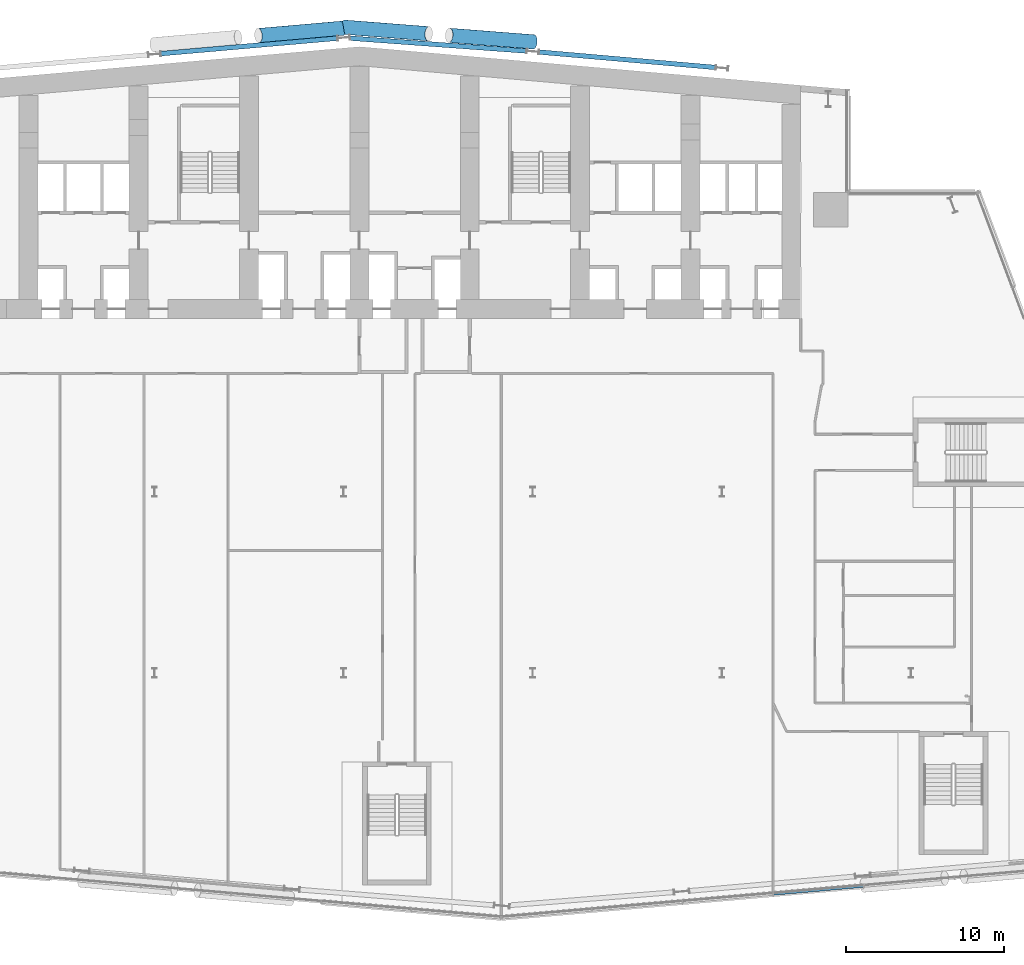
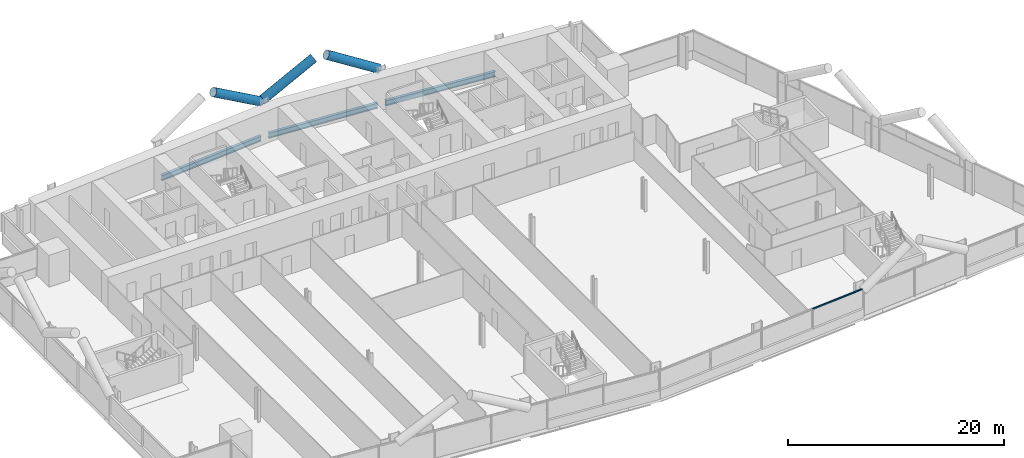
# One storey, part 8 of 24: 4 members, 3 beams, 1 element without a shape of its own.
"""IFC4 building model written with IfcOpenShell, lengths in metres."""

import ifcopenshell
import ifcopenshell.guid

model = None  # the IFC model being written
_history = None  # IfcOwnerHistory: only IFC2X3 demands one
_inside = {}  # id of a spatial element -> (the spatial element, [elements in it])
_under = {}  # id of a project, library or spatial element -> (it, [spatial elements below it])
_declared = {}  # id of a project -> (the project, [libraries it declares])
_typed = {}  # id of a type object -> (the type object, [elements of that type])
_made_of = {}  # id of a material, layer set ... -> (it, [elements and type objects made of it])


def new_model(schema):
    """Start an empty IFC model of exactly this schema.

    Asked for "IFC4X3", IfcOpenShell would pick the latest addendum, in which some entities
    have other attributes; the version numbers below select the first issue.
    IFC2X3 requires an IfcOwnerHistory on every rooted entity: one is made here for all.
    """
    global model, _history
    if schema == "IFC4X3":
        model = ifcopenshell.file(schema_version=(4, 3, 0, 0))
    else:
        model = ifcopenshell.file(schema=schema)
    _inside.clear()
    _under.clear()
    _declared.clear()
    _typed.clear()
    _made_of.clear()
    _history = None
    if model.schema == "IFC2X3":
        org = make("IfcOrganization", Name="unknown")
        user = make(
            "IfcPersonAndOrganization",
            ThePerson=make("IfcPerson", FamilyName="unknown"),
            TheOrganization=org,
        )
        app = make(
            "IfcApplication",
            ApplicationDeveloper=org,
            Version="unknown",
            ApplicationFullName="unknown",
            ApplicationIdentifier="unknown",
        )
        _history = make(
            "IfcOwnerHistory",
            OwningUser=user,
            OwningApplication=app,
            ChangeAction="ADDED",
            CreationDate=0,
        )
    return model


def make(cls, **values):
    """One entity of the class cls with the attributes given. An attribute that is None is left unset."""
    return model.create_entity(
        cls, **{name: value for name, value in values.items() if value is not None}
    )


def rooted(cls, **values):
    """An entity with a GlobalId (a new one), such as an element, a storey or a relation."""
    return make(cls, GlobalId=ifcopenshell.guid.new(), OwnerHistory=_history, **values)


def si_unit(unit_type, name, prefix=None):
    """IfcSIUnit, for example si_unit("LENGTHUNIT", "METRE", prefix="MILLI")."""
    return make("IfcSIUnit", UnitType=unit_type, Prefix=prefix, Name=name)


def assignment(units):
    """IfcUnitAssignment: the units of a project."""
    return None if units is None else make("IfcUnitAssignment", Units=units)


def point(xyz):
    """IfcCartesianPoint."""
    return None if xyz is None else make("IfcCartesianPoint", Coordinates=xyz)


def direction(xyz):
    """IfcDirection."""
    return None if xyz is None else make("IfcDirection", DirectionRatios=xyz)


def frame(location, z_axis=None, x_axis=None):
    """IfcAxis2Placement3D, a coordinate frame: its origin and axes. An axis left out is left unset."""
    return make(
        "IfcAxis2Placement3D",
        Location=point(location),
        Axis=direction(z_axis),
        RefDirection=direction(x_axis),
    )


def frame_2d(location, x_axis=None):
    """IfcAxis2Placement2D, a coordinate frame in the plane: its origin and x axis."""
    return make(
        "IfcAxis2Placement2D", Location=point(location), RefDirection=direction(x_axis)
    )


def origin():
    """The frame at (0, 0, 0) with its axes left unset."""
    return frame((0.0, 0.0, 0.0))


def origin_2d():
    """The frame at (0, 0) in the plane with its x axis left unset."""
    return frame_2d((0.0, 0.0))


def place(relative_to, where):
    """IfcLocalPlacement: puts the frame where relative to a parent placement (None: the world)."""
    return make(
        "IfcLocalPlacement", PlacementRelTo=relative_to, RelativePlacement=where
    )


def context(
    kind, dimensions, precision=None, world=None, true_north=None, identifier=None
):
    """IfcGeometricRepresentationContext, for example the 3D "Model" context."""
    return make(
        "IfcGeometricRepresentationContext",
        ContextIdentifier=identifier,
        ContextType=kind,
        CoordinateSpaceDimension=dimensions,
        Precision=precision,
        WorldCoordinateSystem=world,
        TrueNorth=true_north,
    )


def subcontext(parent, identifier, kind, view, scale=None):
    """IfcGeometricRepresentationSubContext, for example "Body" below "Model"."""
    return make(
        "IfcGeometricRepresentationSubContext",
        ContextIdentifier=identifier,
        ContextType=kind,
        ParentContext=parent,
        TargetScale=scale,
        TargetView=view,
    )


def project(units=None, contexts=None):
    """IfcProject with its units and contexts."""
    return rooted(
        "IfcProject",
        Name="project",
        RepresentationContexts=contexts,
        UnitsInContext=assignment(units),
    )


def spatial(cls, under=None, at=None, **own):
    """A site, building, storey or space (cls), placed at a placement, below another one or the project."""
    s = rooted(cls, ObjectPlacement=at, **own)
    if under is not None:
        _under.setdefault(under.id(), (under, []))[1].append(s)
    return s


def profile(cls, at=None, kind="AREA", **sizes):
    """A parametric profile (cls). Its sizes go by their IFC names, for example OverallWidth=200.0."""
    return make(cls, ProfileType=kind, Position=at, **sizes)


def rectangle(**sizes):
    """IfcRectangleProfileDef."""
    return profile("IfcRectangleProfileDef", **sizes)


def hollow_circle(**sizes):
    """IfcCircleHollowProfileDef."""
    return profile("IfcCircleHollowProfileDef", **sizes)


def i_section(**sizes):
    """IfcIShapeProfileDef."""
    return profile("IfcIShapeProfileDef", **sizes)


def extrude(swept, where, along, depth):
    """IfcExtrudedAreaSolid: the profile swept, set in the frame where, extruded along a direction by depth."""
    return make(
        "IfcExtrudedAreaSolid",
        SweptArea=swept,
        Position=where,
        ExtrudedDirection=direction(along),
        Depth=depth,
    )


def shape(context_of_items, identifier, shape_type, items):
    """IfcShapeRepresentation: the items that make up one representation, for example the "Body"."""
    return make(
        "IfcShapeRepresentation",
        ContextOfItems=context_of_items,
        RepresentationIdentifier=identifier,
        RepresentationType=shape_type,
        Items=items,
    )


def material(Name=None, Category=None):
    """IfcMaterial."""
    return make("IfcMaterial", Name=Name, Category=Category)


def material_profile(
    of_material, cross_section, Name=None, Category=None, Priority=None
):
    """IfcMaterialProfile: a cross section and its material."""
    return make(
        "IfcMaterialProfile",
        Name=Name,
        Material=of_material,
        Profile=cross_section,
        Priority=Priority,
        Category=Category,
    )


def profile_set(profiles, Name=None, composite=None):
    """IfcMaterialProfileSet."""
    return make(
        "IfcMaterialProfileSet",
        Name=Name,
        MaterialProfiles=profiles,
        CompositeProfile=composite,
    )


def made_of(thing, what):
    """Note that an element or type object is made of a material, layer set ...; save() writes the relation."""
    if what is not None:
        _made_of.setdefault(what.id(), (what, []))[1].append(thing)
    return thing


def type_object(cls, material=None, **own):
    """A type object (cls), such as IfcWallType, which elements share."""
    return made_of(rooted(cls, **own), material)


def element(
    cls,
    number,
    at=None,
    inside=None,
    cuts=None,
    type_object=None,
    material=None,
    context=None,
    identifier="Body",
    shape_type=None,
    held_by="IfcProductDefinitionShape",
    body=None,
    shapes=None,
    **own,
):
    """One element of the class cls, such as IfcWall. Its Tag is "e" and its number.

    at: its placement. inside: the storey or other place that contains it. cuts: it is an
    opening in that element (IfcRelVoidsElement). A single representation is given by context,
    identifier, shape_type and body (its items); several are given by shapes. held_by: the class
    of the entity that holds the representations. save() writes the other relations.
    """
    e = rooted(cls, Tag="e%d" % number, ObjectPlacement=at, **own)
    if body is not None:
        shapes = [shape(context, identifier, shape_type, body)]
    if shapes is not None:
        e.Representation = make(held_by, Representations=shapes)
    if inside is not None:
        _inside.setdefault(inside.id(), (inside, []))[1].append(e)
    if cuts is not None:
        rooted(
            "IfcRelVoidsElement", RelatingBuildingElement=cuts, RelatedOpeningElement=e
        )
    if type_object is not None:
        _typed.setdefault(type_object.id(), (type_object, []))[1].append(e)
    return made_of(e, material)


def aggregate(whole, parts):
    """IfcRelAggregates: a whole, such as a stair, and the parts it consists of."""
    return rooted("IfcRelAggregates", RelatingObject=whole, RelatedObjects=parts)


def save(model, path):
    """Write the relations noted so far, then the file.

    IfcRelAggregates (storeys below a building ...), IfcRelContainedInSpatialStructure (elements
    in a storey), IfcRelDefinesByType, IfcRelAssociatesMaterial and IfcRelDeclares: one each for
    every whole, place, type object, material and project.
    """
    for whole, parts in _under.values():
        aggregate(whole, parts)
    for where, things in _inside.values():
        rooted(
            "IfcRelContainedInSpatialStructure",
            RelatedElements=things,
            RelatingStructure=where,
        )
    for kind, things in _typed.values():
        rooted("IfcRelDefinesByType", RelatedObjects=things, RelatingType=kind)
    for what, things in _made_of.values():
        rooted("IfcRelAssociatesMaterial", RelatedObjects=things, RelatingMaterial=what)
    for by, libraries in _declared.values():
        rooted("IfcRelDeclares", RelatingContext=by, RelatedDefinitions=libraries)
    model.write(path)


model = new_model("IFC4")

# Units and contexts
model_context = context("Model", 3, precision=1e-05, world=origin(), true_north=direction((0.0, 1.0)))
body_context = subcontext(model_context, "Body", "Model", "MODEL_VIEW")
ifc_project = project(units=[si_unit("LENGTHUNIT", "METRE"), si_unit("AREAUNIT", "SQUARE_METRE"), si_unit("VOLUMEUNIT", "CUBIC_METRE"), si_unit("PLANEANGLEUNIT", "RADIAN"), si_unit("MASSUNIT", "GRAM", prefix="KILO")], contexts=[model_context])

# Site, building, storey
site_placement = place(None, origin())
site = spatial("IfcSite", under=ifc_project, at=site_placement, CompositionType="ELEMENT")
building_placement = place(site_placement, origin())
building = spatial("IfcBuilding", under=site, at=building_placement, Name="Wharfspan Tower", CompositionType="ELEMENT")
storey_placement = place(building_placement, frame((0.0, 0.0, 66.699951)))
storey = spatial("IfcBuildingStorey", under=building, at=storey_placement, Name="L13", CompositionType="ELEMENT", Elevation=66.699951)

# Beams
ifc_material_1 = material(Name="Steel S355J2", Category="steel")
ifc_material_profile_1 = material_profile(ifc_material_1, i_section(OverallWidth=0.300049, OverallDepth=0.600098, WebThickness=0.015381, FlangeThickness=0.030029, FilletRadius=0.0271, at=origin_2d()))
ifc_profile_set_1 = profile_set([ifc_material_profile_1], Name="Steel S355J2")
beam_type = type_object("IfcBeamType", Name="Edge beam HEB 600", PredefinedType="SPANDREL", material=ifc_profile_set_1)
for number, where, z_axis, x_axis, name in (
    (1, (59.598633, 49.919922, -0.699951), (-0.996194, 0.087165, 0.0), (-0.087165, -0.996194, 0.0), "Edge beam N2 L13 R.5 to R.4"),
    (2, (35.598633, 51.774414, -0.699951), (-0.996196, -0.087143, 0.0), (0.087143, -0.996196, 0.0), "Edge beam N1 L13 R.3 to R.2"),
):
    element("IfcBeam", number, at=place(storey_placement, frame(where, z_axis=z_axis, x_axis=x_axis)), inside=storey, type_object=beam_type, Name=name, PredefinedType="SPANDREL", context=body_context, shape_type="SweptSolid", body=[
        extrude(i_section(OverallWidth=0.300049, OverallDepth=0.600098, WebThickness=0.015381, FlangeThickness=0.030029, FilletRadius=0.0271, at=origin_2d()), origin(), (0.0, 0.0, 1.0), 11.23999),
    ])
beam_placement = place(storey_placement, frame((36.407227, 51.779785, -0.699951), z_axis=(0.997354, -0.072694, 0.0), x_axis=(0.072694, 0.997354, 0.0)))
element("IfcBeam", 3, at=beam_placement, inside=storey, type_object=beam_type, Name="Edge beam L13 R.3 to R.4", PredefinedType="SPANDREL", context=body_context, shape_type="SweptSolid", body=[
    extrude(i_section(OverallWidth=0.300049, OverallDepth=0.600098, WebThickness=0.015381, FlangeThickness=0.030029, FilletRadius=0.0271, at=origin_2d()), origin(), (0.0, 0.0, 1.0), 11.220703),
])

# Members
ifc_material_2 = material(Name="Steel S460NH", Category="steel")
ifc_material_profile_2 = material_profile(ifc_material_2, hollow_circle(Radius=0.457031, WallThickness=0.040039, at=origin_2d()))
ifc_profile_set_2 = profile_set([ifc_material_profile_2], Name="Steel S460NH")
member_type_1 = type_object("IfcMemberType", Name="Mega brace CHS 914x40", PredefinedType="BRACE", material=ifc_profile_set_2)
member_1_placement = place(storey_placement, frame((35.947266, 52.412842, 2.900146), z_axis=(-0.855094, -0.074809, 0.513048), x_axis=(0.087154, -0.996195, 1e-06)))
element("IfcMember", 4, at=member_1_placement, inside=storey, type_object=member_type_1, Name="Mega brace N7 L14 part 3", PredefinedType="BRACE", context=body_context, shape_type="SweptSolid", body=[
    extrude(hollow_circle(Radius=0.457031, WallThickness=0.040039, at=origin_2d()), origin(), (0.0, 0.0, 1.0), 6.256104),
])
for number, where, z_axis, x_axis, name in (
    (5, (36.048584, 52.476318, 2.900146), (0.855527, -0.066474, 0.513473), (0.077466, 0.996995, 0.0), "Mega brace N8 L14 part 1"),
    (6, (48.044434, 51.544434, 2.900146), (-0.855527, 0.066474, 0.513473), (-0.077466, -0.996995, 0.0), "Mega brace N8 L14 part 3"),
):
    element("IfcMember", number, at=place(storey_placement, frame(where, z_axis=z_axis, x_axis=x_axis)), inside=storey, type_object=member_type_1, Name=name, PredefinedType="BRACE", context=body_context, shape_type="SweptSolid", body=[
        extrude(hollow_circle(Radius=0.457031, WallThickness=0.040039, at=origin_2d()), origin(), (0.0, 0.0, 1.0), 6.250977),
    ])

# Curtain wall, member
ifc_material_3 = material(Name="Aluminium 6063-T6", Category="aluminium")
curtain_wall_type = type_object("IfcCurtainWallType", Name="CURTAIN WALL FACETED FRONT", PredefinedType="NOTDEFINED", material=ifc_material_3)
curtain_wall_placement = place(storey_placement, origin())
curtain_wall = element("IfcCurtainWall", 7, at=curtain_wall_placement, inside=storey, type_object=curtain_wall_type, Name="Curtain wall S2", PredefinedType="NOTDEFINED")
ifc_material_profile_3 = material_profile(ifc_material_3, rectangle(XDim=0.159912, YDim=0.080078, at=origin_2d()))
ifc_profile_set_3 = profile_set([ifc_material_profile_3], Name="Aluminium 6063-T6")
member_type_2 = type_object("IfcMemberType", Name="TRANSOM FACETED FRONT 80x160", PredefinedType="USERDEFINED", material=ifc_profile_set_3)
member_2_placement = place(storey_placement, frame((63.279785, -2.512695, 3.160156), z_axis=(0.996195, 0.087148, 0.0), x_axis=(-0.087148, 0.996195, 0.0)))
member_2 = element("IfcMember", 8, at=member_2_placement, type_object=member_type_2, Name="Curtain wall S2 transom 4", ObjectType="TRANSOM", PredefinedType="USERDEFINED", context=body_context, shape_type="SweptSolid", body=[
    extrude(rectangle(XDim=0.159912, YDim=0.080078, at=origin_2d()), origin(), (0.0, 0.0, 1.0), 5.712158),
])
aggregate(curtain_wall, [member_2])

save(model, "model.ifc")
